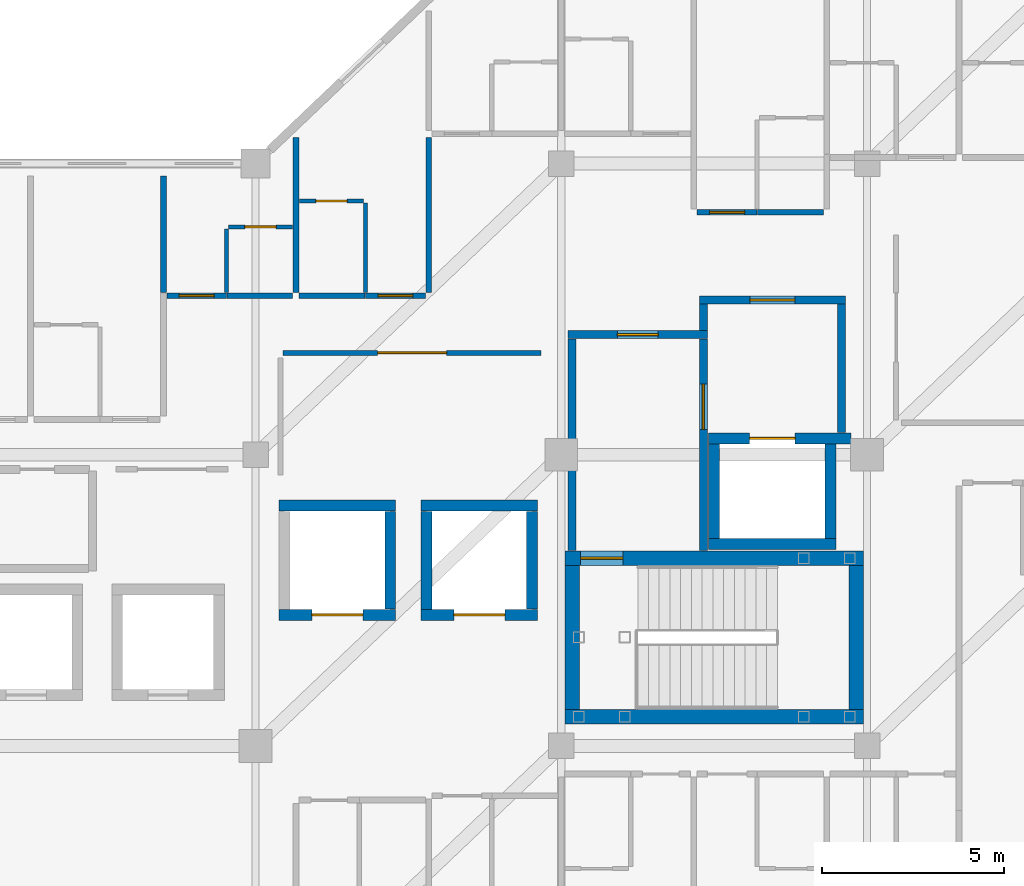
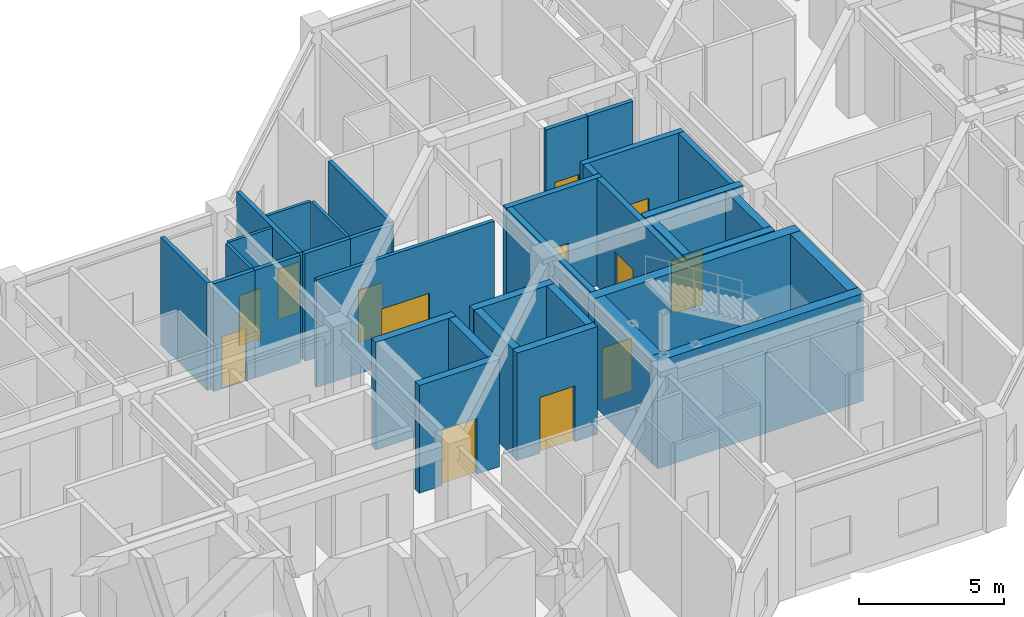
# One storey, part 61 of 76: 35 walls, 13 doors, 13 openings.
"""IFC4 building model written with IfcOpenShell, lengths in metres."""

from ifc_helpers import new_model, si_unit, direction, frame, frame_2d, origin, place, context, subcontext, project, spatial, rectangle, extrude, material, layer, layer_set, type_object, element, fill, save


model = new_model("IFC4")

# Units and contexts
model_context = context("Model", 3, precision=1e-05, world=origin(), true_north=direction((0.0, 1.0)))
body_context = subcontext(model_context, "Body", "Model", "MODEL_VIEW")
ifc_project = project(units=[si_unit("LENGTHUNIT", "METRE"), si_unit("AREAUNIT", "SQUARE_METRE"), si_unit("VOLUMEUNIT", "CUBIC_METRE"), si_unit("PLANEANGLEUNIT", "RADIAN"), si_unit("MASSUNIT", "GRAM", prefix="KILO")], contexts=[model_context])

# Site, building, storey
site_placement = place(None, origin())
site = spatial("IfcSite", under=ifc_project, at=site_placement, CompositionType="ELEMENT")
building_placement = place(site_placement, origin())
building = spatial("IfcBuilding", under=site, at=building_placement, Name="Naruveol Harbour Congress Hotel", CompositionType="ELEMENT")
storey_placement = place(building_placement, frame((0.0, 0.0, 11.39990234375)))
storey = spatial("IfcBuildingStorey", under=building, at=storey_placement, Name="L02", CompositionType="ELEMENT", Elevation=11.39990234375)

# Wall, opening, door
ifc_material_1 = material(Name="Acoustic Double Stud Gypsum", Category="gypsum")
ifc_layer_1 = layer(ifc_material_1, 0.139892578125)
ifc_layer_set_1 = layer_set([ifc_layer_1], Name="Acoustic Double Stud Gypsum")
wall_type_1 = type_object("IfcWallType", Name="ACOUSTIC MEETING PARTITION WALL 140", PredefinedType="PARTITIONING", material=ifc_layer_set_1)
wall_1_placement = place(storey_placement, frame((143.56005859375, 26.800048828125, 0.0), z_axis=(0.0, 0.0, 1.0), x_axis=(1.0, 0.0, 0.0)))
wall_1 = element("IfcWall", 1, at=wall_1_placement, inside=storey, type_object=wall_type_1, Name="Harbour Study Salon north entry wall PW-140", PredefinedType="PARTITIONING", context=body_context, shape_type="SweptSolid", body=[
    extrude(rectangle(XDim=7.079833984375, YDim=0.139892578125, at=frame_2d((3.5400390625, 0.0))), origin(), (0.0, 0.0, 1.0), 4.53515625),
])
opening_1_placement = place(wall_1_placement, frame((2.590087890625, 0.0, 0.0)))
opening_1 = element("IfcOpeningElement", 2, at=opening_1_placement, cuts=wall_1, Name="Opening ID-LG-80", PredefinedType="OPENING", context=body_context, shape_type="SweptSolid", body=[
    extrude(rectangle(XDim=1.89990234375, YDim=2.39990234375, at=frame_2d((0.949951171875, 1.199951171875))), frame((0.0, 0.079833984375, 0.0), z_axis=(0.0, -1.0, 0.0), x_axis=(1.0, 0.0, 0.0)), (0.0, 0.0, 1.0), 0.159912109375),
])
ifc_material_2 = material(Name="Timber & Steel Acoustic Leaf", Category="steel")
door_type_1 = type_object("IfcDoorType", Name="RESTAURANT AND LOUNGE GLAZED DOOR 1900X2400", OperationType="DOUBLE_DOOR_SINGLE_SWING", PredefinedType="DOOR", material=ifc_material_2)
door_1_placement = place(opening_1_placement, origin())
door_1 = element("IfcDoor", 3, at=door_1_placement, inside=storey, type_object=door_type_1, Name="Harbour Study Salon Entrance Door", OperationType="DOUBLE_DOOR_SINGLE_SWING", OverallHeight=2.39990234375, OverallWidth=1.89990234375, PredefinedType="DOOR", context=body_context, shape_type="SweptSolid", body=[
    extrude(rectangle(XDim=1.89990234375, YDim=2.39990234375, at=frame_2d((0.949951171875, 1.199951171875))), frame((0.0, 0.02490234375, 0.0), z_axis=(0.0, -1.0, 0.0), x_axis=(1.0, 0.0, 0.0)), (0.0, 0.0, 1.0), 0.050048828125),
])
fill(opening_1, door_1)

# Wall
ifc_material_3 = material(Name="Moisture-Resistant Gypsum Partition", Category="gypsum")
ifc_layer_2 = layer(ifc_material_3, 0.114990234375)
ifc_layer_set_2 = layer_set([ifc_layer_2], Name="Moisture-Resistant Gypsum Partition")
wall_type_2 = type_object("IfcWallType", Name="BATHROOM MOISTURE PARTITION WALL 115", PredefinedType="PARTITIONING", material=ifc_layer_set_2)
wall_2_placement = place(storey_placement, frame((142.0, 28.4599609375, 0.0), z_axis=(0.0, 0.0, 1.0), x_axis=(0.0, 1.0, 0.0)))
element("IfcWall", 4, at=wall_2_placement, inside=storey, type_object=wall_type_2, Name="Bathroom west wall 0325 PW-115", PredefinedType="PARTITIONING", context=body_context, shape_type="SweptSolid", body=[
    extrude(rectangle(XDim=1.739990234375, YDim=0.114990234375, at=frame_2d((0.8701171875, 0.0))), origin(), (0.0, 0.0, 1.0), 4.53515625),
])

# Wall, opening, door
wall_3_placement = place(storey_placement, frame((142.06005859375, 30.260009765625, 0.0), z_axis=(0.0, 0.0, 1.0), x_axis=(1.0, 0.0, 0.0)))
wall_3 = element("IfcWall", 5, at=wall_3_placement, inside=storey, type_object=wall_type_2, Name="Bathroom north wall 0325 PW-115", PredefinedType="PARTITIONING", context=body_context, shape_type="SweptSolid", body=[
    extrude(rectangle(XDim=1.75, YDim=0.114990234375, at=frame_2d((0.875, 0.0))), origin(), (0.0, 0.0, 1.0), 4.53515625),
])
opening_2_placement = place(wall_3_placement, frame((0.445068359375, 0.0, 0.0)))
opening_2 = element("IfcOpeningElement", 6, at=opening_2_placement, cuts=wall_3, Name="Opening BD-RM0325", PredefinedType="OPENING", context=body_context, shape_type="SweptSolid", body=[
    extrude(rectangle(XDim=0.860107421875, YDim=2.1201171875, at=frame_2d((0.43017578125, 1.06005859375))), frame((0.0, 0.0673828125, 0.0), z_axis=(0.0, -1.0, 0.0), x_axis=(1.0, 0.0, 0.0)), (0.0, 0.0, 1.0), 0.135009765625),
])
ifc_material_4 = material(Name="Timber & Steel Acoustic Leaf", Category="steel")
door_type_2 = type_object("IfcDoorType", Name="GUEST BATHROOM DOOR 860X2120", OperationType="NOTDEFINED", PredefinedType="DOOR", material=ifc_material_4)
door_2_placement = place(opening_2_placement, origin())
door_2 = element("IfcDoor", 7, at=door_2_placement, inside=storey, type_object=door_type_2, Name="Bathroom Door 0325", OperationType="SINGLE_SWING_RIGHT", OverallHeight=2.1201171875, OverallWidth=0.860107421875, PredefinedType="DOOR", context=body_context, shape_type="SweptSolid", body=[
    extrude(rectangle(XDim=0.860107421875, YDim=2.1201171875, at=frame_2d((0.43017578125, 1.06005859375))), frame((0.0, 0.02490234375, 0.0), z_axis=(0.0, -1.0, 0.0), x_axis=(1.0, 0.0, 0.0)), (0.0, 0.0, 1.0), 0.050048828125),
])
fill(opening_2, door_2)

# Wall
wall_4_placement = place(storey_placement, frame((145.820068359375, 28.4599609375, 0.0), z_axis=(0.0, 0.0, 1.0), x_axis=(0.0, 1.0, 0.0)))
element("IfcWall", 8, at=wall_4_placement, inside=storey, type_object=wall_type_2, Name="Bathroom east wall 0326 PW-115", PredefinedType="PARTITIONING", context=body_context, shape_type="SweptSolid", body=[
    extrude(rectangle(XDim=2.449951171875, YDim=0.114990234375, at=frame_2d((1.22509765625, 0.0))), origin(), (0.0, 0.0, 1.0), 4.53515625),
])

# Wall, opening, door
wall_5_placement = place(storey_placement, frame((144.010009765625, 30.969970703125, 0.0), z_axis=(0.0, 0.0, 1.0), x_axis=(1.0, 0.0, 0.0)))
wall_5 = element("IfcWall", 9, at=wall_5_placement, inside=storey, type_object=wall_type_2, Name="Bathroom north wall 0326 PW-115", PredefinedType="PARTITIONING", context=body_context, shape_type="SweptSolid", body=[
    extrude(rectangle(XDim=1.75, YDim=0.114990234375, at=frame_2d((0.875, 0.0))), origin(), (0.0, 0.0, 1.0), 4.53515625),
])
opening_3_placement = place(wall_5_placement, frame((0.445068359375, 0.0, 0.0)))
opening_3 = element("IfcOpeningElement", 10, at=opening_3_placement, cuts=wall_5, Name="Opening BD-RM0326", PredefinedType="OPENING", context=body_context, shape_type="SweptSolid", body=[
    extrude(rectangle(XDim=0.860107421875, YDim=2.1201171875, at=frame_2d((0.43017578125, 1.06005859375))), frame((0.0, 0.0673828125, 0.0), z_axis=(0.0, -1.0, 0.0), x_axis=(1.0, 0.0, 0.0)), (0.0, 0.0, 1.0), 0.135009765625),
])
door_3_placement = place(opening_3_placement, origin())
door_3 = element("IfcDoor", 11, at=door_3_placement, inside=storey, type_object=door_type_2, Name="Bathroom Door 0326", OperationType="SINGLE_SWING_RIGHT", OverallHeight=2.1201171875, OverallWidth=0.860107421875, PredefinedType="DOOR", context=body_context, shape_type="SweptSolid", body=[
    extrude(rectangle(XDim=0.860107421875, YDim=2.1201171875, at=frame_2d((0.43017578125, 1.06005859375))), frame((0.0, 0.02490234375, 0.0), z_axis=(0.0, -1.0, 0.0), x_axis=(1.0, 0.0, 0.0)), (0.0, 0.0, 1.0), 0.050048828125),
])
fill(opening_3, door_3)

# Wall
ifc_material_5 = material(Name="Concrete C40/50", Category="concrete")
ifc_layer_3 = layer(ifc_material_5, 0.219970703125)
ifc_layer_set_3 = layer_set([ifc_layer_3], Name="Concrete C40/50")
wall_type_3 = type_object("IfcWallType", Name="FIRE COMPARTMENT AND LOBBY WALL 220 EI120", PredefinedType="PARTITIONING", material=ifc_layer_set_3)
wall_6_placement = place(storey_placement, frame((151.5, 21.364990234375, 0.0), z_axis=(0.0, 0.0, 1.0), x_axis=(0.0, 1.0, 0.0)))
element("IfcWall", 12, at=wall_6_placement, inside=storey, type_object=wall_type_3, Name="Smoke vestibule ST2 west wall FW-220", PredefinedType="PARTITIONING", context=body_context, shape_type="SweptSolid", body=[
    extrude(rectangle(XDim=5.820068359375, YDim=0.219970703125, at=frame_2d((2.91015625, 0.0))), origin(), (0.0, 0.0, 1.0), 4.53515625),
])

# Wall, opening, door
wall_7_placement = place(storey_placement, frame((151.389892578125, 27.300048828125, 0.0), z_axis=(0.0, 0.0, 1.0), x_axis=(1.0, 0.0, 0.0)))
wall_7 = element("IfcWall", 13, at=wall_7_placement, inside=storey, type_object=wall_type_3, Name="Smoke vestibule ST2 north wall FW-220", PredefinedType="PARTITIONING", context=body_context, shape_type="SweptSolid", body=[
    extrude(rectangle(XDim=3.820068359375, YDim=0.219970703125, at=frame_2d((1.91015625, 0.0))), origin(), (0.0, 0.0, 1.0), 4.53515625),
])
opening_4_placement = place(wall_7_placement, frame((1.35009765625, 0.0, 0.0)))
opening_4 = element("IfcOpeningElement", 14, at=opening_4_placement, cuts=wall_7, Name="Opening FD-ST2-V-L02", PredefinedType="OPENING", context=body_context, shape_type="SweptSolid", body=[
    extrude(rectangle(XDim=1.1201171875, YDim=2.199951171875, at=frame_2d((0.56005859375, 1.10009765625))), frame((0.0, 0.119873046875, 0.0), z_axis=(0.0, -1.0, 0.0), x_axis=(1.0, 0.0, 0.0)), (0.0, 0.0, 1.0), 0.239990234375),
])
ifc_material_6 = material(Name="Timber & Steel Acoustic Leaf", Category="steel")
door_type_3 = type_object("IfcDoorType", Name="VESTIBULE SMOKE CONTROL FIRE DOOR 1120X2200", OperationType="NOTDEFINED", PredefinedType="DOOR", material=ifc_material_6)
door_4_placement = place(opening_4_placement, origin())
door_4 = element("IfcDoor", 15, at=door_4_placement, inside=storey, type_object=door_type_3, Name="Smoke Vestibule Entry Door ST2 L02", OperationType="SINGLE_SWING_LEFT", OverallHeight=2.199951171875, OverallWidth=1.1201171875, PredefinedType="DOOR", context=body_context, shape_type="SweptSolid", body=[
    extrude(rectangle(XDim=1.1201171875, YDim=2.199951171875, at=frame_2d((0.56005859375, 1.10009765625))), frame((0.0, 0.02490234375, 0.0), z_axis=(0.0, -1.0, 0.0), x_axis=(1.0, 0.0, 0.0)), (0.0, 0.0, 1.0), 0.050048828125),
])
fill(opening_4, door_4)

wall_8_placement = place(storey_placement, frame((155.10009765625, 21.364990234375, 0.0), z_axis=(0.0, 0.0, 1.0), x_axis=(0.0, 1.0, 0.0)))
wall_8 = element("IfcWall", 16, at=wall_8_placement, inside=storey, type_object=wall_type_3, Name="Smoke vestibule ST2 east wall FW-220", PredefinedType="PARTITIONING", context=body_context, shape_type="SweptSolid", body=[
    extrude(rectangle(XDim=5.820068359375, YDim=0.219970703125, at=frame_2d((2.91015625, 0.0))), origin(), (0.0, 0.0, 1.0), 4.53515625),
])
opening_5_placement = place(wall_8_placement, frame((3.3349609375, 0.0, 0.0)))
opening_5 = element("IfcOpeningElement", 17, at=opening_5_placement, cuts=wall_8, Name="Opening FD-FFL-ST2-L02", PredefinedType="OPENING", context=body_context, shape_type="SweptSolid", body=[
    extrude(rectangle(XDim=1.239990234375, YDim=2.199951171875, at=frame_2d((0.6201171875, 1.10009765625))), frame((0.0, 0.119873046875, 0.0), z_axis=(0.0, -1.0, 0.0), x_axis=(1.0, 0.0, 0.0)), (0.0, 0.0, 1.0), 0.239990234375),
])
ifc_material_7 = material(Name="Timber & Steel Acoustic Leaf", Category="steel")
door_type_4 = type_object("IfcDoorType", Name="FIREFIGHTING LOBBY FIRE DOOR 1240X2200", OperationType="NOTDEFINED", PredefinedType="DOOR", material=ifc_material_7)
door_5_placement = place(opening_5_placement, origin())
door_5 = element("IfcDoor", 18, at=door_5_placement, inside=storey, type_object=door_type_4, Name="Firefighting Lobby Vestibule Door ST2 L02", OperationType="SINGLE_SWING_RIGHT", OverallHeight=2.199951171875, OverallWidth=1.239990234375, PredefinedType="DOOR", context=body_context, shape_type="SweptSolid", body=[
    extrude(rectangle(XDim=1.239990234375, YDim=2.199951171875, at=frame_2d((0.6201171875, 1.10009765625))), frame((0.0, 0.02490234375, 0.0), z_axis=(0.0, -1.0, 0.0), x_axis=(1.0, 0.0, 0.0)), (0.0, 0.0, 1.0), 0.050048828125),
])
fill(opening_5, door_5)

# Walls
wall_9_placement = place(storey_placement, frame((155.10009765625, 27.4150390625, 0.0), z_axis=(0.0, 0.0, 1.0), x_axis=(0.0, 1.0, 0.0)))
element("IfcWall", 19, at=wall_9_placement, inside=storey, type_object=wall_type_3, Name="Firefighting lift lobby ST2 upper west wall FW-220", PredefinedType="PARTITIONING", context=body_context, shape_type="SweptSolid", body=[
    extrude(rectangle(XDim=0.719970703125, YDim=0.219970703125, at=frame_2d((0.35986328125, 0.0))), origin(), (0.0, 0.0, 1.0), 4.53515625),
])
wall_10_placement = place(storey_placement, frame((158.89990234375, 24.60498046875, 0.0), z_axis=(0.0, 0.0, 1.0), x_axis=(0.0, 1.0, 0.0)))
element("IfcWall", 20, at=wall_10_placement, inside=storey, type_object=wall_type_3, Name="Firefighting lift lobby ST2 east wall FW-220", PredefinedType="PARTITIONING", context=body_context, shape_type="SweptSolid", body=[
    extrude(rectangle(XDim=3.530029296875, YDim=0.219970703125, at=frame_2d((1.76513671875, 0.0))), origin(), (0.0, 0.0, 1.0), 4.53515625),
])

# Wall, opening, door
wall_11_placement = place(storey_placement, frame((154.989990234375, 28.25, 0.0), z_axis=(0.0, 0.0, 1.0), x_axis=(1.0, 0.0, 0.0)))
wall_11 = element("IfcWall", 21, at=wall_11_placement, inside=storey, type_object=wall_type_3, Name="Firefighting lift lobby ST2 north wall FW-220", PredefinedType="PARTITIONING", context=body_context, shape_type="SweptSolid", body=[
    extrude(rectangle(XDim=4.02001953125, YDim=0.219970703125, at=frame_2d((2.010009765625, 0.0))), origin(), (0.0, 0.0, 1.0), 4.53515625),
])
opening_6_placement = place(wall_11_placement, frame((1.389892578125, 0.0, 0.0)))
opening_6 = element("IfcOpeningElement", 22, at=opening_6_placement, cuts=wall_11, Name="Opening FD-FFC-ST2-L02", PredefinedType="OPENING", context=body_context, shape_type="SweptSolid", body=[
    extrude(rectangle(XDim=1.239990234375, YDim=2.199951171875, at=frame_2d((0.6201171875, 1.10009765625))), frame((0.0, 0.119873046875, 0.0), z_axis=(0.0, -1.0, 0.0), x_axis=(1.0, 0.0, 0.0)), (0.0, 0.0, 1.0), 0.239990234375),
])
door_6_placement = place(opening_6_placement, origin())
door_6 = element("IfcDoor", 23, at=door_6_placement, inside=storey, type_object=door_type_4, Name="Firefighting Lobby Corridor Door ST2 L02", OperationType="SINGLE_SWING_LEFT", OverallHeight=2.199951171875, OverallWidth=1.239990234375, PredefinedType="DOOR", context=body_context, shape_type="SweptSolid", body=[
    extrude(rectangle(XDim=1.239990234375, YDim=2.199951171875, at=frame_2d((0.6201171875, 1.10009765625))), frame((0.0, 0.02490234375, 0.0), z_axis=(0.0, -1.0, 0.0), x_axis=(1.0, 0.0, 0.0)), (0.0, 0.0, 1.0), 0.050048828125),
])
fill(opening_6, door_6)

ifc_material_8 = material(Name="Autoclaved Aerated Concrete Block", Category="concrete")
ifc_layer_4 = layer(ifc_material_8, 0.159912109375)
ifc_layer_set_4 = layer_set([ifc_layer_4], Name="Autoclaved Aerated Concrete Block")
wall_type_4 = type_object("IfcWallType", Name="HOTEL PARTY AND CORRIDOR WALL 160 EI60", PredefinedType="PARTITIONING", material=ifc_layer_set_4)
wall_12_placement = place(storey_placement, frame((140.360107421875, 28.3701171875, 0.0), z_axis=(0.0, 0.0, 1.0), x_axis=(1.0, 0.0, 0.0)))
wall_12 = element("IfcWall", 24, at=wall_12_placement, inside=storey, type_object=wall_type_4, Name="Corridor entry wall 0325 PW-160", PredefinedType="PARTITIONING", context=body_context, shape_type="SweptSolid", body=[
    extrude(rectangle(XDim=1.639892578125, YDim=0.159912109375, at=frame_2d((0.81982421875, 0.0))), origin(), (0.0, 0.0, 1.0), 4.53515625),
])
opening_7_placement = place(wall_12_placement, frame((0.340087890625, 0.0, 0.0)))
opening_7 = element("IfcOpeningElement", 25, at=opening_7_placement, cuts=wall_12, Name="Opening FD-RM0325", PredefinedType="OPENING", context=body_context, shape_type="SweptSolid", body=[
    extrude(rectangle(XDim=0.9599609375, YDim=2.199951171875, at=frame_2d((0.47998046875, 1.10009765625))), frame((0.0, 0.08984375, 0.0), z_axis=(0.0, -1.0, 0.0), x_axis=(1.0, 0.0, 0.0)), (0.0, 0.0, 1.0), 0.179931640625),
])
ifc_material_9 = material(Name="Timber & Steel Acoustic Leaf", Category="steel")
door_type_5 = type_object("IfcDoorType", Name="GUEST ROOM ENTRANCE FIRE DOOR 960X2200", OperationType="NOTDEFINED", PredefinedType="DOOR", material=ifc_material_9)
door_7_placement = place(opening_7_placement, origin())
door_7 = element("IfcDoor", 26, at=door_7_placement, inside=storey, type_object=door_type_5, Name="Hotel Room Door 0325", OperationType="SINGLE_SWING_LEFT", OverallHeight=2.199951171875, OverallWidth=0.9599609375, PredefinedType="DOOR", context=body_context, shape_type="SweptSolid", body=[
    extrude(rectangle(XDim=0.9599609375, YDim=2.199951171875, at=frame_2d((0.47998046875, 1.10009765625))), frame((0.0, 0.02490234375, 0.0), z_axis=(0.0, -1.0, 0.0), x_axis=(1.0, 0.0, 0.0)), (0.0, 0.0, 1.0), 0.050048828125),
])
fill(opening_7, door_7)

# Walls
wall_13_placement = place(storey_placement, frame((142.010009765625, 28.3701171875, 0.0), z_axis=(0.0, 0.0, 1.0), x_axis=(1.0, 0.0, 0.0)))
element("IfcWall", 27, at=wall_13_placement, inside=storey, type_object=wall_type_4, Name="Corridor wall 0325B PW-160", PredefinedType="PARTITIONING", context=body_context, shape_type="SweptSolid", body=[
    extrude(rectangle(XDim=1.81005859375, YDim=0.159912109375, at=frame_2d((0.905029296875, 0.0))), origin(), (0.0, 0.0, 1.0), 4.53515625),
])
wall_14_placement = place(storey_placement, frame((140.27001953125, 28.4599609375, 0.0), z_axis=(0.0, 0.0, 1.0), x_axis=(0.0, 1.0, 0.0)))
element("IfcWall", 28, at=wall_14_placement, inside=storey, type_object=wall_type_4, Name="Hotel party wall 0325 PW-160", PredefinedType="PARTITIONING", context=body_context, shape_type="SweptSolid", body=[
    extrude(rectangle(XDim=3.199951171875, YDim=0.159912109375, at=frame_2d((1.60009765625, 0.0))), origin(), (0.0, 0.0, 1.0), 4.53515625),
])
wall_15_placement = place(storey_placement, frame((144.0, 28.3701171875, 0.0), z_axis=(0.0, 0.0, 1.0), x_axis=(1.0, 0.0, 0.0)))
element("IfcWall", 29, at=wall_15_placement, inside=storey, type_object=wall_type_4, Name="Corridor wall 0326B PW-160", PredefinedType="PARTITIONING", context=body_context, shape_type="SweptSolid", body=[
    extrude(rectangle(XDim=1.81005859375, YDim=0.159912109375, at=frame_2d((0.905029296875, 0.0))), origin(), (0.0, 0.0, 1.0), 4.53515625),
])

# Wall, opening, door
wall_16_placement = place(storey_placement, frame((145.820068359375, 28.3701171875, 0.0), z_axis=(0.0, 0.0, 1.0), x_axis=(1.0, 0.0, 0.0)))
wall_16 = element("IfcWall", 30, at=wall_16_placement, inside=storey, type_object=wall_type_4, Name="Corridor entry wall 0326 PW-160", PredefinedType="PARTITIONING", context=body_context, shape_type="SweptSolid", body=[
    extrude(rectangle(XDim=1.64990234375, YDim=0.159912109375, at=frame_2d((0.824951171875, 0.0))), origin(), (0.0, 0.0, 1.0), 4.53515625),
])
opening_8_placement = place(wall_16_placement, frame((0.344970703125, 0.0, 0.0)))
opening_8 = element("IfcOpeningElement", 31, at=opening_8_placement, cuts=wall_16, Name="Opening FD-RM0326", PredefinedType="OPENING", context=body_context, shape_type="SweptSolid", body=[
    extrude(rectangle(XDim=0.9599609375, YDim=2.199951171875, at=frame_2d((0.47998046875, 1.10009765625))), frame((0.0, 0.08984375, 0.0), z_axis=(0.0, -1.0, 0.0), x_axis=(1.0, 0.0, 0.0)), (0.0, 0.0, 1.0), 0.179931640625),
])
door_8_placement = place(opening_8_placement, origin())
door_8 = element("IfcDoor", 32, at=door_8_placement, inside=storey, type_object=door_type_5, Name="Hotel Room Door 0326", OperationType="SINGLE_SWING_LEFT", OverallHeight=2.199951171875, OverallWidth=0.9599609375, PredefinedType="DOOR", context=body_context, shape_type="SweptSolid", body=[
    extrude(rectangle(XDim=0.9599609375, YDim=2.199951171875, at=frame_2d((0.47998046875, 1.10009765625))), frame((0.0, 0.02490234375, 0.0), z_axis=(0.0, -1.0, 0.0), x_axis=(1.0, 0.0, 0.0)), (0.0, 0.0, 1.0), 0.050048828125),
])
fill(opening_8, door_8)

# Walls
for number, where, z_axis, x_axis, name in (
    (33, (143.909912109375, 28.4599609375, 0.0), (0.0, 0.0, 1.0), (0.0, 1.0, 0.0), "Hotel party wall 0326 PW-160"),
    (34, (147.56005859375, 28.4599609375, 0.0), (0.0, 0.0, 1.0), (0.0, 1.0, 0.0), "Hotel end party wall 0326 PW-160"),
):
    element("IfcWall", number, at=place(storey_placement, frame(where, z_axis=z_axis, x_axis=x_axis)), inside=storey, type_object=wall_type_4, Name=name, PredefinedType="PARTITIONING", context=body_context, shape_type="SweptSolid", body=[
        extrude(rectangle(XDim=4.260009765625, YDim=0.159912109375, at=frame_2d((2.1298828125, 0.0))), origin(), (0.0, 0.0, 1.0), 4.53515625),
    ])

# Wall, opening, door
wall_17_placement = place(storey_placement, frame((154.929931640625, 30.659912109375, 0.0), z_axis=(0.0, 0.0, 1.0), x_axis=(1.0, 0.0, 0.0)))
wall_17 = element("IfcWall", 35, at=wall_17_placement, inside=storey, type_object=wall_type_4, Name="Corridor entry wall 0329 PW-160", PredefinedType="PARTITIONING", context=body_context, shape_type="SweptSolid", body=[
    extrude(rectangle(XDim=1.650146484375, YDim=0.159912109375, at=frame_2d((0.8251953125, 0.0))), origin(), (0.0, 0.0, 1.0), 4.53515625),
])
opening_9_placement = place(wall_17_placement, frame((0.344970703125, 0.0, 0.0)))
opening_9 = element("IfcOpeningElement", 36, at=opening_9_placement, cuts=wall_17, Name="Opening FD-RM0329", PredefinedType="OPENING", context=body_context, shape_type="SweptSolid", body=[
    extrude(rectangle(XDim=0.9599609375, YDim=2.199951171875, at=frame_2d((0.47998046875, 1.10009765625))), frame((0.0, 0.08984375, 0.0), z_axis=(0.0, -1.0, 0.0), x_axis=(1.0, 0.0, 0.0)), (0.0, 0.0, 1.0), 0.179931640625),
])
door_9_placement = place(opening_9_placement, origin())
door_9 = element("IfcDoor", 37, at=door_9_placement, inside=storey, type_object=door_type_5, Name="Hotel Room Door 0329", OperationType="SINGLE_SWING_LEFT", OverallHeight=2.199951171875, OverallWidth=0.9599609375, PredefinedType="DOOR", context=body_context, shape_type="SweptSolid", body=[
    extrude(rectangle(XDim=0.9599609375, YDim=2.199951171875, at=frame_2d((0.47998046875, 1.10009765625))), frame((0.0, 0.02490234375, 0.0), z_axis=(0.0, -1.0, 0.0), x_axis=(1.0, 0.0, 0.0)), (0.0, 0.0, 1.0), 0.050048828125),
])
fill(opening_9, door_9)

# Walls
wall_18_placement = place(storey_placement, frame((156.590087890625, 30.659912109375, 0.0), z_axis=(0.0, 0.0, 1.0), x_axis=(1.0, 0.0, 0.0)))
element("IfcWall", 38, at=wall_18_placement, inside=storey, type_object=wall_type_4, Name="Corridor wall 0329B PW-160", PredefinedType="PARTITIONING", context=body_context, shape_type="SweptSolid", body=[
    extrude(rectangle(XDim=1.809814453125, YDim=0.159912109375, at=frame_2d((0.90478515625, 0.0))), origin(), (0.0, 0.0, 1.0), 4.53515625),
])
ifc_material_10 = material(Name="Concrete C50/60", Category="concrete")
ifc_layer_5 = layer(ifc_material_10, 0.39990234375)
ifc_layer_set_5 = layer_set([ifc_layer_5], Name="Concrete C50/60")
wall_type_5 = type_object("IfcWallType", Name="RC CORE SHEAR WALL 400 EI120", PredefinedType="SHEAR", material=ifc_layer_set_5)
wall_19_placement = place(storey_placement, frame((151.300048828125, 16.800048828125, 0.0), z_axis=(0.0, 0.0, 1.0), x_axis=(1.0, 0.0, 0.0)))
element("IfcWall", 39, at=wall_19_placement, inside=storey, type_object=wall_type_5, Name="Stair ST2 south core wall CW-400", PredefinedType="SHEAR", context=body_context, shape_type="SweptSolid", body=[
    extrude(rectangle(XDim=8.199951171875, YDim=0.39990234375, at=frame_2d((4.10009765625, 0.0))), origin(), (0.0, 0.0, 1.0), 4.53515625),
])
wall_20_placement = place(storey_placement, frame((159.300048828125, 17.0048828125, 0.0), z_axis=(0.0, 0.0, 1.0), x_axis=(0.0, 1.0, 0.0)))
element("IfcWall", 40, at=wall_20_placement, inside=storey, type_object=wall_type_5, Name="Stair ST2 east core wall CW-400", PredefinedType="SHEAR", context=body_context, shape_type="SweptSolid", body=[
    extrude(rectangle(XDim=3.9501953125, YDim=0.39990234375, at=frame_2d((1.97509765625, 0.0))), origin(), (0.0, 0.0, 1.0), 4.53515625),
])

# Wall, opening, door
wall_21_placement = place(storey_placement, frame((151.300048828125, 21.159912109375, 0.0), z_axis=(0.0, 0.0, 1.0), x_axis=(1.0, 0.0, 0.0)))
wall_21 = element("IfcWall", 41, at=wall_21_placement, inside=storey, type_object=wall_type_5, Name="Stair ST2 north core wall CW-400", PredefinedType="SHEAR", context=body_context, shape_type="SweptSolid", body=[
    extrude(rectangle(XDim=8.199951171875, YDim=0.39990234375, at=frame_2d((4.10009765625, 0.0))), origin(), (0.0, 0.0, 1.0), 4.53515625),
])
opening_10_placement = place(wall_21_placement, frame((0.429931640625, 0.0, 0.0)))
opening_10 = element("IfcOpeningElement", 42, at=opening_10_placement, cuts=wall_21, Name="Opening FD-ST2-S-L02", PredefinedType="OPENING", context=body_context, shape_type="SweptSolid", body=[
    extrude(rectangle(XDim=1.159912109375, YDim=2.199951171875, at=frame_2d((0.580078125, 1.10009765625))), frame((0.0, 0.2099609375, 0.0), z_axis=(0.0, -1.0, 0.0), x_axis=(1.0, 0.0, 0.0)), (0.0, 0.0, 1.0), 0.419921875),
])
ifc_material_11 = material(Name="Timber & Steel Acoustic Leaf", Category="steel")
door_type_6 = type_object("IfcDoorType", Name="SPECIAL ESCAPE STAIR FIRE DOOR 1160X2200", OperationType="NOTDEFINED", PredefinedType="DOOR", material=ifc_material_11)
door_10_placement = place(opening_10_placement, origin())
door_10 = element("IfcDoor", 43, at=door_10_placement, inside=storey, type_object=door_type_6, Name="Special Escape Stair Door ST2 L02", OperationType="SINGLE_SWING_RIGHT", OverallHeight=2.199951171875, OverallWidth=1.159912109375, PredefinedType="DOOR", context=body_context, shape_type="SweptSolid", body=[
    extrude(rectangle(XDim=1.159912109375, YDim=2.199951171875, at=frame_2d((0.580078125, 1.10009765625))), frame((0.0, 0.02490234375, 0.0), z_axis=(0.0, -1.0, 0.0), x_axis=(1.0, 0.0, 0.0)), (0.0, 0.0, 1.0), 0.050048828125),
])
fill(opening_10, door_10)

# Walls
wall_22_placement = place(storey_placement, frame((151.5, 17.0048828125, 0.0), z_axis=(0.0, 0.0, 1.0), x_axis=(0.0, 1.0, 0.0)))
element("IfcWall", 44, at=wall_22_placement, inside=storey, type_object=wall_type_5, Name="Stair ST2 west core wall CW-400", PredefinedType="SHEAR", context=body_context, shape_type="SweptSolid", body=[
    extrude(rectangle(XDim=3.9501953125, YDim=0.39990234375, at=frame_2d((1.97509765625, 0.0))), origin(), (0.0, 0.0, 1.0), 4.53515625),
])
ifc_material_12 = material(Name="Concrete C50/60", Category="concrete")
ifc_layer_6 = layer(ifc_material_12, 0.300048828125)
ifc_layer_set_6 = layer_set([ifc_layer_6], Name="Concrete C50/60")
wall_type_6 = type_object("IfcWallType", Name="RC STAIR AND HOISTWAY SHEAR WALL 300 EI120", PredefinedType="SHEAR", material=ifc_layer_set_6)
wall_23_placement = place(storey_placement, frame((155.25, 21.550048828125, 0.0), z_axis=(0.0, 0.0, 1.0), x_axis=(1.0, 0.0, 0.0)))
element("IfcWall", 45, at=wall_23_placement, inside=storey, type_object=wall_type_6, Name="Hoistway south shear wall FL2 SW-300", PredefinedType="SHEAR", context=body_context, shape_type="SweptSolid", body=[
    extrude(rectangle(XDim=3.5, YDim=0.300048828125, at=frame_2d((1.75, 0.0))), origin(), (0.0, 0.0, 1.0), 4.53515625),
])
wall_24_placement = place(storey_placement, frame((158.60009765625, 21.705078125, 0.0), z_axis=(0.0, 0.0, 1.0), x_axis=(0.0, 1.0, 0.0)))
element("IfcWall", 46, at=wall_24_placement, inside=storey, type_object=wall_type_6, Name="Hoistway east shear wall FL2 SW-300", PredefinedType="SHEAR", context=body_context, shape_type="SweptSolid", body=[
    extrude(rectangle(XDim=2.58984375, YDim=0.300048828125, at=frame_2d((1.294921875, 0.0))), origin(), (0.0, 0.0, 1.0), 4.53515625),
])

# Wall, opening, door
wall_25_placement = place(storey_placement, frame((159.159912109375, 24.449951171875, 0.0), z_axis=(0.0, 0.0, 1.0), x_axis=(-1.0, 0.0, 0.0)))
wall_25 = element("IfcWall", 47, at=wall_25_placement, inside=storey, type_object=wall_type_6, Name="Hoistway north shear wall FL2 SW-300", PredefinedType="SHEAR", context=body_context, shape_type="SweptSolid", body=[
    extrude(rectangle(XDim=3.909912109375, YDim=0.300048828125, at=frame_2d((1.955078125, 0.0))), origin(), (0.0, 0.0, 1.0), 4.53515625),
])
opening_11_placement = place(wall_25_placement, frame((1.534912109375, 0.0, 0.0)))
opening_11 = element("IfcOpeningElement", 48, at=opening_11_placement, cuts=wall_25, Name="Opening LD-FL2-L02", PredefinedType="OPENING", context=body_context, shape_type="SweptSolid", body=[
    extrude(rectangle(XDim=1.25, YDim=2.25, at=frame_2d((0.625, 1.125))), frame((0.0, 0.159912109375, 0.0), z_axis=(0.0, -1.0, 0.0), x_axis=(1.0, 0.0, 0.0)), (0.0, 0.0, 1.0), 0.320068359375),
])
ifc_material_13 = material(Name="Stainless Steel Lift Door", Category="steel")
door_type_7 = type_object("IfcDoorType", Name="FIREFIGHTING LIFT LANDING DOOR 1250X2250", OperationType="DOUBLE_DOOR_SLIDING", PredefinedType="DOOR", material=ifc_material_13)
door_11_placement = place(opening_11_placement, origin())
door_11 = element("IfcDoor", 49, at=door_11_placement, inside=storey, type_object=door_type_7, Name="Elevator Landing Door FL2 L02", OperationType="DOUBLE_DOOR_SLIDING", OverallHeight=2.25, OverallWidth=1.25, PredefinedType="DOOR", context=body_context, shape_type="SweptSolid", body=[
    extrude(rectangle(XDim=1.25, YDim=2.25, at=frame_2d((0.625, 1.125))), frame((0.0, 0.02490234375, 0.0), z_axis=(0.0, -1.0, 0.0), x_axis=(1.0, 0.0, 0.0)), (0.0, 0.0, 1.0), 0.050048828125),
])
fill(opening_11, door_11)

# Wall
wall_26_placement = place(storey_placement, frame((155.39990234375, 24.294921875, 0.0), z_axis=(0.0, 0.0, 1.0), x_axis=(0.0, -1.0, 0.0)))
element("IfcWall", 50, at=wall_26_placement, inside=storey, type_object=wall_type_6, Name="Hoistway west shear wall FL2 SW-300", PredefinedType="SHEAR", context=body_context, shape_type="SweptSolid", body=[
    extrude(rectangle(XDim=2.58984375, YDim=0.300048828125, at=frame_2d((1.294921875, 0.0))), origin(), (0.0, 0.0, 1.0), 4.53515625),
])

# Wall, opening, door
wall_27_placement = place(storey_placement, frame((143.449951171875, 19.60009765625, 0.0), z_axis=(0.0, 0.0, 1.0), x_axis=(1.0, 0.0, 0.0)))
wall_27 = element("IfcWall", 51, at=wall_27_placement, inside=storey, type_object=wall_type_6, Name="Hoistway south shear wall GL1 SW-300", PredefinedType="SHEAR", context=body_context, shape_type="SweptSolid", body=[
    extrude(rectangle(XDim=3.199951171875, YDim=0.300048828125, at=frame_2d((1.60009765625, 0.0))), origin(), (0.0, 0.0, 1.0), 4.53515625),
])
opening_12_placement = place(wall_27_placement, frame((0.89990234375, 0.0, 0.0)))
opening_12 = element("IfcOpeningElement", 52, at=opening_12_placement, cuts=wall_27, Name="Opening LD-GL1-L02", PredefinedType="OPENING", context=body_context, shape_type="SweptSolid", body=[
    extrude(rectangle(XDim=1.39990234375, YDim=2.35009765625, at=frame_2d((0.699951171875, 1.175048828125))), frame((0.0, 0.159912109375, 0.0), z_axis=(0.0, -1.0, 0.0), x_axis=(1.0, 0.0, 0.0)), (0.0, 0.0, 1.0), 0.320068359375),
])
ifc_material_14 = material(Name="Stainless Steel Lift Door", Category="steel")
door_type_8 = type_object("IfcDoorType", Name="GOODS LIFT LANDING DOOR 1400X2350", OperationType="DOUBLE_DOOR_SLIDING", PredefinedType="DOOR", material=ifc_material_14)
door_12_placement = place(opening_12_placement, origin())
door_12 = element("IfcDoor", 53, at=door_12_placement, inside=storey, type_object=door_type_8, Name="Elevator Landing Door GL1 L02", OperationType="DOUBLE_DOOR_SLIDING", OverallHeight=2.35009765625, OverallWidth=1.39990234375, PredefinedType="DOOR", context=body_context, shape_type="SweptSolid", body=[
    extrude(rectangle(XDim=1.39990234375, YDim=2.35009765625, at=frame_2d((0.699951171875, 1.175048828125))), frame((0.0, 0.02490234375, 0.0), z_axis=(0.0, -1.0, 0.0), x_axis=(1.0, 0.0, 0.0)), (0.0, 0.0, 1.0), 0.050048828125),
])
fill(opening_12, door_12)

# Walls
wall_28_placement = place(storey_placement, frame((146.5, 19.7548828125, 0.0), z_axis=(0.0, 0.0, 1.0), x_axis=(0.0, 1.0, 0.0)))
element("IfcWall", 54, at=wall_28_placement, inside=storey, type_object=wall_type_6, Name="Hoistway east shear wall GL1 SW-300", PredefinedType="SHEAR", context=body_context, shape_type="SweptSolid", body=[
    extrude(rectangle(XDim=2.690185546875, YDim=0.300048828125, at=frame_2d((1.34521484375, 0.0))), origin(), (0.0, 0.0, 1.0), 4.53515625),
])
wall_29_placement = place(storey_placement, frame((146.64990234375, 22.60009765625, 0.0), z_axis=(0.0, 0.0, 1.0), x_axis=(-1.0, 0.0, 0.0)))
element("IfcWall", 55, at=wall_29_placement, inside=storey, type_object=wall_type_6, Name="Hoistway north shear wall GL1 SW-300", PredefinedType="SHEAR", context=body_context, shape_type="SweptSolid", body=[
    extrude(rectangle(XDim=3.199951171875, YDim=0.300048828125, at=frame_2d((1.60009765625, 0.0))), origin(), (0.0, 0.0, 1.0), 4.53515625),
])

# Wall, opening, door
wall_30_placement = place(storey_placement, frame((147.35009765625, 19.60009765625, 0.0), z_axis=(0.0, 0.0, 1.0), x_axis=(1.0, 0.0, 0.0)))
wall_30 = element("IfcWall", 56, at=wall_30_placement, inside=storey, type_object=wall_type_6, Name="Hoistway south shear wall GL2 SW-300", PredefinedType="SHEAR", context=body_context, shape_type="SweptSolid", body=[
    extrude(rectangle(XDim=3.199951171875, YDim=0.300048828125, at=frame_2d((1.60009765625, 0.0))), origin(), (0.0, 0.0, 1.0), 4.53515625),
])
opening_13_placement = place(wall_30_placement, frame((0.89990234375, 0.0, 0.0)))
opening_13 = element("IfcOpeningElement", 57, at=opening_13_placement, cuts=wall_30, Name="Opening LD-GL2-L02", PredefinedType="OPENING", context=body_context, shape_type="SweptSolid", body=[
    extrude(rectangle(XDim=1.39990234375, YDim=2.35009765625, at=frame_2d((0.699951171875, 1.175048828125))), frame((0.0, 0.159912109375, 0.0), z_axis=(0.0, -1.0, 0.0), x_axis=(1.0, 0.0, 0.0)), (0.0, 0.0, 1.0), 0.320068359375),
])
door_13_placement = place(opening_13_placement, origin())
door_13 = element("IfcDoor", 58, at=door_13_placement, inside=storey, type_object=door_type_8, Name="Elevator Landing Door GL2 L02", OperationType="DOUBLE_DOOR_SLIDING", OverallHeight=2.35009765625, OverallWidth=1.39990234375, PredefinedType="DOOR", context=body_context, shape_type="SweptSolid", body=[
    extrude(rectangle(XDim=1.39990234375, YDim=2.35009765625, at=frame_2d((0.699951171875, 1.175048828125))), frame((0.0, 0.02490234375, 0.0), z_axis=(0.0, -1.0, 0.0), x_axis=(1.0, 0.0, 0.0)), (0.0, 0.0, 1.0), 0.050048828125),
])
fill(opening_13, door_13)

# Walls
wall_31_placement = place(storey_placement, frame((150.39990234375, 19.7548828125, 0.0), z_axis=(0.0, 0.0, 1.0), x_axis=(0.0, 1.0, 0.0)))
element("IfcWall", 59, at=wall_31_placement, inside=storey, type_object=wall_type_6, Name="Hoistway east shear wall GL2 SW-300", PredefinedType="SHEAR", context=body_context, shape_type="SweptSolid", body=[
    extrude(rectangle(XDim=2.690185546875, YDim=0.300048828125, at=frame_2d((1.34521484375, 0.0))), origin(), (0.0, 0.0, 1.0), 4.53515625),
])
wall_32_placement = place(storey_placement, frame((150.550048828125, 22.60009765625, 0.0), z_axis=(0.0, 0.0, 1.0), x_axis=(-1.0, 0.0, 0.0)))
element("IfcWall", 60, at=wall_32_placement, inside=storey, type_object=wall_type_6, Name="Hoistway north shear wall GL2 SW-300", PredefinedType="SHEAR", context=body_context, shape_type="SweptSolid", body=[
    extrude(rectangle(XDim=3.199951171875, YDim=0.300048828125, at=frame_2d((1.60009765625, 0.0))), origin(), (0.0, 0.0, 1.0), 4.53515625),
])
wall_33_placement = place(storey_placement, frame((147.5, 22.445068359375, 0.0), z_axis=(0.0, 0.0, 1.0), x_axis=(0.0, -1.0, 0.0)))
element("IfcWall", 61, at=wall_33_placement, inside=storey, type_object=wall_type_6, Name="Hoistway west shear wall GL2 SW-300", PredefinedType="SHEAR", context=body_context, shape_type="SweptSolid", body=[
    extrude(rectangle(XDim=2.690185546875, YDim=0.300048828125, at=frame_2d((1.34521484375, 0.0))), origin(), (0.0, 0.0, 1.0), 4.53515625),
])

save(model, "model.ifc")
